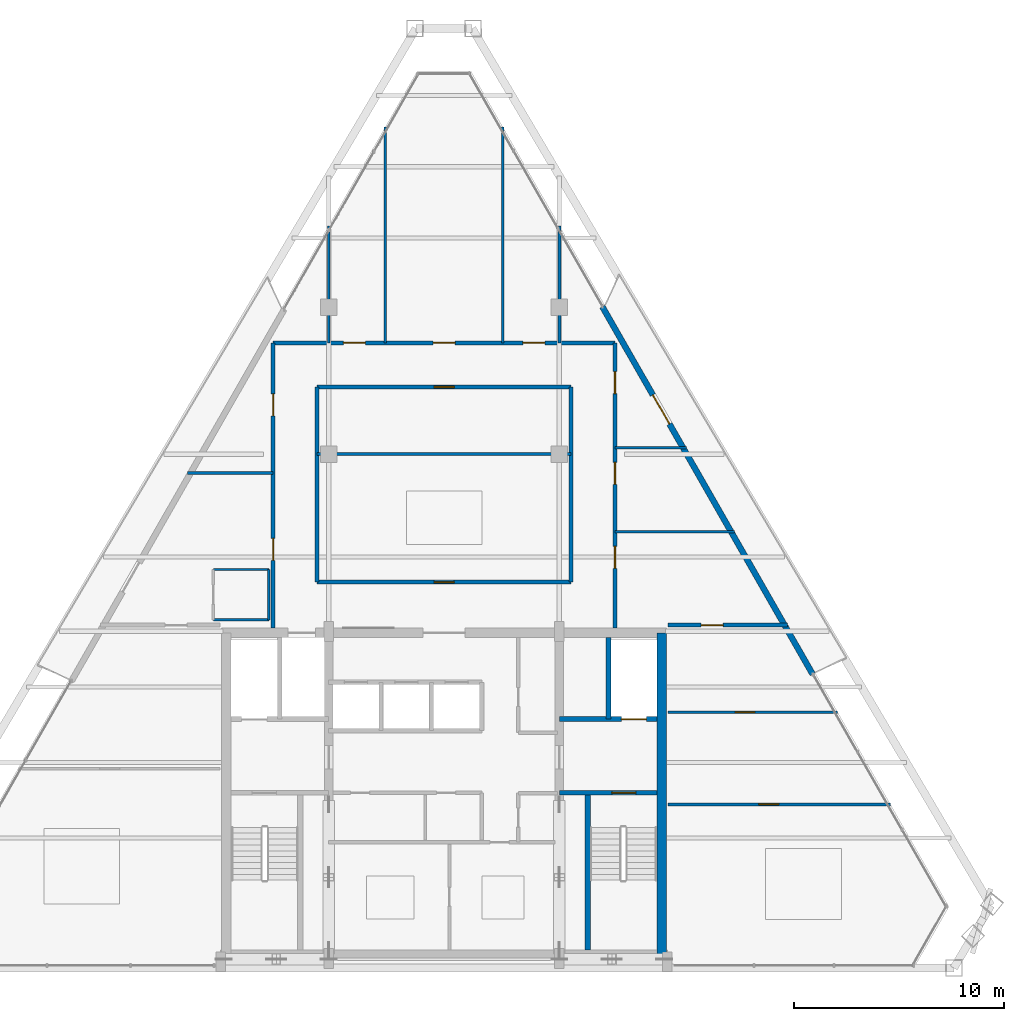
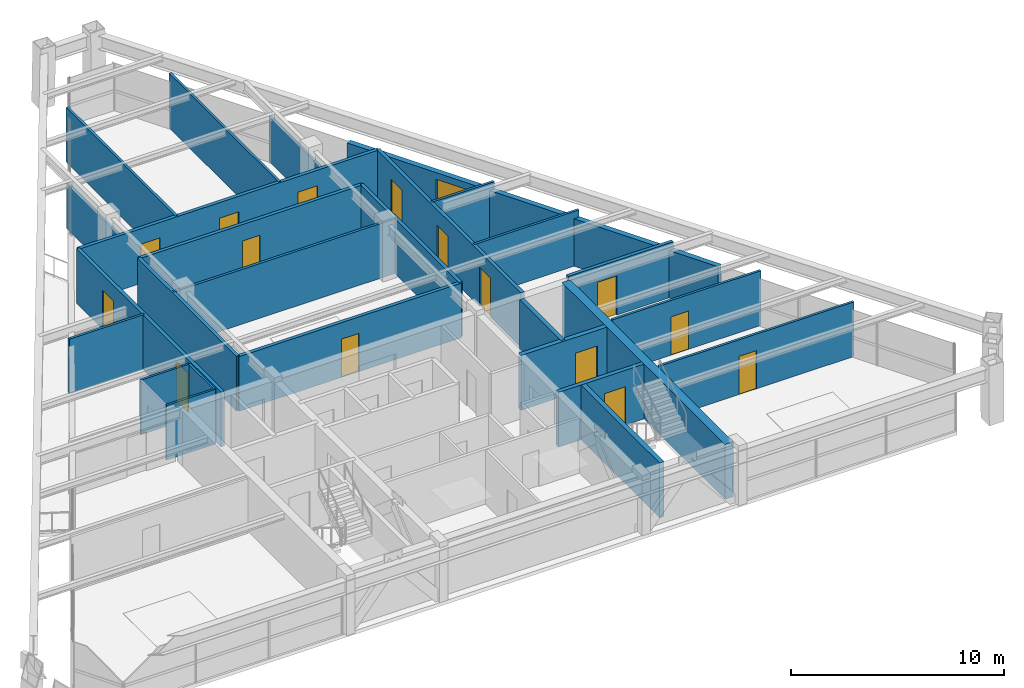
# One storey, part 10 of 13: 27 walls, 16 doors, 16 openings.
"""IFC4 building model written with IfcOpenShell, lengths in metres."""

from ifc_helpers import new_model, si_unit, direction, frame, frame_2d, origin, place, context, subcontext, project, spatial, rectangle, extrude, source, transform, mapped, material, layer, layer_set, type_object, type_shapes, element, fill, save


model = new_model("IFC4")

# Units and contexts
model_context = context("Model", 3, precision=1e-05, world=origin(), true_north=direction((0.0, 1.0)))
body_context = subcontext(model_context, "Body", "Model", "MODEL_VIEW")
ifc_project = project(units=[si_unit("LENGTHUNIT", "METRE"), si_unit("AREAUNIT", "SQUARE_METRE"), si_unit("VOLUMEUNIT", "CUBIC_METRE"), si_unit("PLANEANGLEUNIT", "RADIAN"), si_unit("MASSUNIT", "GRAM", prefix="KILO")], contexts=[model_context])

# Site, building, storey
site_placement = place(None, origin())
site = spatial("IfcSite", under=ifc_project, at=site_placement, CompositionType="ELEMENT")
building_placement = place(site_placement, origin())
building = spatial("IfcBuilding", under=site, at=building_placement, Name="Varnakhor Terracotta Tower", CompositionType="ELEMENT")
storey_placement = place(building_placement, frame((0.0, 0.0, 300.60009765625)))
storey = spatial("IfcBuildingStorey", under=building, at=storey_placement, Name="L79", CompositionType="ELEMENT", Elevation=300.60009765625)

# Walls
ifc_material_1 = material(Name="Moisture-Resistant Tile-Backed Partition", Category="gypsum")
ifc_layer_1 = layer(ifc_material_1, 0.114990234375, Name="Moisture-Resistant Tile-Backed Partition")
ifc_layer_set_1 = layer_set([ifc_layer_1], Name="Moisture-Resistant Tile-Backed Partition")
wall_type_1 = type_object("IfcWallType", Name="WAL-BATH-115", PredefinedType="PARTITIONING", material=ifc_layer_set_1)
for number, where, z_axis, x_axis, name in (
    (1, (-11.0, 16.60009765625, 0.0), (0.0, 0.0, 1.0), (1.0, 0.0, 0.0), "L79 En-Suite 1 Wall S"),
    (2, (-11.0, 19.0, 0.0), (0.0, 0.0, 1.0), (1.0, 0.0, 0.0), "L79 En-Suite 1 Wall N"),
):
    element("IfcWall", number, at=place(storey_placement, frame(where, z_axis=z_axis, x_axis=x_axis)), inside=storey, type_object=wall_type_1, Name=name, PredefinedType="PARTITIONING", context=body_context, shape_type="SweptSolid", body=[
        extrude(rectangle(XDim=2.64990234375, YDim=0.114990234375, at=frame_2d((1.324951171875, 0.0))), origin(), (0.0, 0.0, 1.0), 3.141845703125),
    ])
wall_1_placement = place(storey_placement, frame((-8.35009765625, 16.60009765625, 0.0), z_axis=(0.0, 0.0, 1.0), x_axis=(0.0, 1.0, 0.0)))
element("IfcWall", 3, at=wall_1_placement, inside=storey, type_object=wall_type_1, Name="L79 En-Suite 1 Wall E", PredefinedType="PARTITIONING", context=body_context, shape_type="SweptSolid", body=[
    extrude(rectangle(XDim=2.39990234375, YDim=0.114990234375, at=frame_2d((1.199951171875, 0.0))), origin(), (0.0, 0.0, 1.0), 3.141845703125),
])
ifc_material_2 = material(Name="Concrete C50/60", Category="concrete")
ifc_layer_2 = layer(ifc_material_2, 0.449951171875, Name="Concrete C50/60")
ifc_layer_set_2 = layer_set([ifc_layer_2], Name="Concrete C50/60")
wall_type_2 = type_object("IfcWallType", Name="WAL-CORE-450", PredefinedType="SHEAR", material=ifc_layer_set_2)
wall_2_placement = place(storey_placement, frame((10.375, 0.625, 0.0), z_axis=(0.0, 0.0, 1.0), x_axis=(0.0, 1.0, 0.0)))
element("IfcWall", 4, at=wall_2_placement, inside=storey, type_object=wall_type_2, Name="L79 East Core Shear Wall", PredefinedType="SHEAR", context=body_context, shape_type="SweptSolid", body=[
    extrude(rectangle(XDim=15.35009765625, YDim=0.449951171875, at=frame_2d((7.675048828125, 0.0))), origin(), (0.0, 0.0, 1.0), 3.14990234375),
])

# Wall, opening, door
ifc_material_3 = material(Name="Fire-Rated Gypsum Stud Partition", Category="gypsum")
ifc_layer_3 = layer(ifc_material_3, 0.18505859375, Name="Fire-Rated Gypsum Stud Partition")
ifc_layer_set_3 = layer_set([ifc_layer_3], Name="Fire-Rated Gypsum Stud Partition")
wall_type_3 = type_object("IfcWallType", Name="WAL-CORR-185", PredefinedType="PARTITIONING", material=ifc_layer_set_3)
wall_3_placement = place(storey_placement, frame((-6.050048828125, 18.39990234375, 0.0), z_axis=(0.0, 0.0, 1.0), x_axis=(1.0, 0.0, 0.0)))
wall_3 = element("IfcWall", 5, at=wall_3_placement, inside=storey, type_object=wall_type_3, Name="L79 Ring Inner South Wall", PredefinedType="PARTITIONING", context=body_context, shape_type="SweptSolid", body=[
    extrude(rectangle(XDim=12.10009765625, YDim=0.18505859375, at=frame_2d((6.050048828125, 0.0))), origin(), (0.0, 0.0, 1.0), 3.141845703125),
])
opening_1_placement = place(wall_3_placement, frame((5.574951171875, 0.0, 0.0)))
opening_1 = element("IfcOpeningElement", 6, at=opening_1_placement, cuts=wall_3, Name="Opening DR-94", PredefinedType="OPENING", context=body_context, shape_type="SweptSolid", body=[
    extrude(rectangle(XDim=0.949951171875, YDim=2.199951171875, at=frame_2d((0.47509765625, 1.10009765625))), frame((0.0, 0.1025390625, 0.0), z_axis=(0.0, -1.0, 0.0), x_axis=(1.0, 0.0, 0.0)), (0.0, 0.0, 1.0), 0.205078125),
])
ifc_material_4 = material(Name="Acoustic Glazed-Vision Timber Office Door", Category="wood")
door_type_1 = type_object("IfcDoorType", Name="DR-OFF-950X2200", OperationType="NOTDEFINED", PredefinedType="DOOR", material=ifc_material_4)
shared_shape_1 = source(origin(), body_context, "Body", "SweptSolid", [
    extrude(rectangle(XDim=0.949951171875, YDim=2.199951171875, at=frame_2d((0.47509765625, 1.10009765625))), frame((0.0, 0.02490234375, 0.0), z_axis=(0.0, -1.0, 0.0), x_axis=(1.0, 0.0, 0.0)), (0.0, 0.0, 1.0), 0.050048828125),
])
type_shapes(door_type_1, [shared_shape_1])
door_1_placement = place(opening_1_placement, origin())
door_1 = element("IfcDoor", 7, at=door_1_placement, inside=storey, type_object=door_type_1, Name="L79 Housekeeping Station Door", OperationType="SINGLE_SWING_RIGHT", OverallHeight=2.199951171875, OverallWidth=0.949951171875, PredefinedType="DOOR", context=body_context, shape_type="MappedRepresentation", body=[
    mapped(shared_shape_1, transform((0.0, 0.0, 0.0), scale=1.0)),
])
fill(opening_1, door_1)

wall_4_placement = place(storey_placement, frame((-6.050048828125, 27.699951171875, 0.0), z_axis=(0.0, 0.0, 1.0), x_axis=(1.0, 0.0, 0.0)))
wall_4 = element("IfcWall", 8, at=wall_4_placement, inside=storey, type_object=wall_type_3, Name="L79 Ring Inner North Wall", PredefinedType="PARTITIONING", context=body_context, shape_type="SweptSolid", body=[
    extrude(rectangle(XDim=12.10009765625, YDim=0.18505859375, at=frame_2d((6.050048828125, 0.0))), origin(), (0.0, 0.0, 1.0), 3.141845703125),
])
opening_2_placement = place(wall_4_placement, frame((5.574951171875, 0.0, 0.0)))
opening_2 = element("IfcOpeningElement", 9, at=opening_2_placement, cuts=wall_4, Name="Opening DR-94", PredefinedType="OPENING", context=body_context, shape_type="SweptSolid", body=[
    extrude(rectangle(XDim=0.949951171875, YDim=2.199951171875, at=frame_2d((0.47509765625, 1.10009765625))), frame((0.0, 0.1025390625, 0.0), z_axis=(0.0, -1.0, 0.0), x_axis=(1.0, 0.0, 0.0)), (0.0, 0.0, 1.0), 0.205078125),
])
door_2_placement = place(opening_2_placement, origin())
door_2 = element("IfcDoor", 10, at=door_2_placement, inside=storey, type_object=door_type_1, Name="L79 Inner Service Door", OperationType="SINGLE_SWING_LEFT", OverallHeight=2.199951171875, OverallWidth=0.949951171875, PredefinedType="DOOR", context=body_context, shape_type="MappedRepresentation", body=[
    mapped(shared_shape_1, transform((0.0, 0.0, 0.0), scale=1.0)),
])
fill(opening_2, door_2)

# Walls
for number, where, z_axis, x_axis, name in (
    (11, (-6.050048828125, 18.39990234375, 0.0), (0.0, 0.0, 1.0), (0.0, 1.0, 0.0), "L79 Ring Inner West Wall"),
    (12, (6.050048828125, 18.39990234375, 0.0), (0.0, 0.0, 1.0), (0.0, 1.0, 0.0), "L79 Ring Inner East Wall"),
):
    element("IfcWall", number, at=place(storey_placement, frame(where, z_axis=z_axis, x_axis=x_axis)), inside=storey, type_object=wall_type_3, Name=name, PredefinedType="PARTITIONING", context=body_context, shape_type="SweptSolid", body=[
        extrude(rectangle(XDim=9.300048828125, YDim=0.18505859375, at=frame_2d((4.64990234375, 0.0))), origin(), (0.0, 0.0, 1.0), 3.141845703125),
    ])

# Wall, openings, doors
wall_5_placement = place(storey_placement, frame((-8.14990234375, 16.199951171875, 0.0), z_axis=(0.0, 0.0, 1.0), x_axis=(0.0, 1.0, 0.0)))
wall_5 = element("IfcWall", 13, at=wall_5_placement, inside=storey, type_object=wall_type_3, Name="L79 Hotel West Corridor Wall", PredefinedType="PARTITIONING", context=body_context, shape_type="SweptSolid", body=[
    extrude(rectangle(XDim=13.60009765625, YDim=0.18505859375, at=frame_2d((6.800048828125, 0.0))), origin(), (0.0, 0.0, 1.0), 3.141845703125),
])
opening_3_placement = place(wall_5_placement, frame((3.235107421875, 0.0, 0.0)))
opening_3 = element("IfcOpeningElement", 14, at=opening_3_placement, cuts=wall_5, Name="Opening DR-95", PredefinedType="OPENING", context=body_context, shape_type="SweptSolid", body=[
    extrude(rectangle(XDim=1.050048828125, YDim=2.25, at=frame_2d((0.52490234375, 1.125))), frame((0.0, 0.1025390625, 0.0), z_axis=(0.0, -1.0, 0.0), x_axis=(1.0, 0.0, 0.0)), (0.0, 0.0, 1.0), 0.205078125),
])
opening_4_placement = place(wall_5_placement, frame((10.12255859375, 0.0, 0.0)))
opening_4 = element("IfcOpeningElement", 15, at=opening_4_placement, cuts=wall_5, Name="Opening DR-95", PredefinedType="OPENING", context=body_context, shape_type="SweptSolid", body=[
    extrude(rectangle(XDim=1.050048828125, YDim=2.25, at=frame_2d((0.52490234375, 1.125))), frame((0.0, 0.1025390625, 0.0), z_axis=(0.0, -1.0, 0.0), x_axis=(1.0, 0.0, 0.0)), (0.0, 0.0, 1.0), 0.205078125),
])
ifc_material_5 = material(Name="Solid-Core Timber Tenant/Hotel Entrance Door", Category="wood")
door_type_2 = type_object("IfcDoorType", Name="DR-SUITE-1050X2250", OperationType="NOTDEFINED", PredefinedType="DOOR", material=ifc_material_5)
shared_shape_2 = source(origin(), body_context, "Body", "SweptSolid", [
    extrude(rectangle(XDim=1.050048828125, YDim=2.25, at=frame_2d((0.52490234375, 1.125))), frame((0.0, 0.02490234375, 0.0), z_axis=(0.0, -1.0, 0.0), x_axis=(1.0, 0.0, 0.0)), (0.0, 0.0, 1.0), 0.050048828125),
])
type_shapes(door_type_2, [shared_shape_2])
door_3_placement = place(opening_3_placement, origin())
door_3 = element("IfcDoor", 16, at=door_3_placement, inside=storey, type_object=door_type_2, Name="L79 West Room 1 Entry Door", OperationType="SINGLE_SWING_LEFT", OverallHeight=2.25, OverallWidth=1.050048828125, PredefinedType="DOOR", context=body_context, shape_type="MappedRepresentation", body=[
    mapped(shared_shape_2, transform((0.0, 0.0, 0.0), scale=1.0)),
])
fill(opening_3, door_3)
door_4_placement = place(opening_4_placement, origin())
door_4 = element("IfcDoor", 17, at=door_4_placement, inside=storey, type_object=door_type_2, Name="L79 West Room 2 Entry Door", OperationType="SINGLE_SWING_LEFT", OverallHeight=2.25, OverallWidth=1.050048828125, PredefinedType="DOOR", context=body_context, shape_type="MappedRepresentation", body=[
    mapped(shared_shape_2, transform((0.0, 0.0, 0.0), scale=1.0)),
])
fill(opening_4, door_4)

wall_6_placement = place(storey_placement, frame((8.14990234375, 16.199951171875, 0.0), z_axis=(0.0, 0.0, 1.0), x_axis=(0.0, 1.0, 0.0)))
wall_6 = element("IfcWall", 18, at=wall_6_placement, inside=storey, type_object=wall_type_3, Name="L79 Hotel East Corridor Wall", PredefinedType="PARTITIONING", context=body_context, shape_type="SweptSolid", body=[
    extrude(rectangle(XDim=13.60009765625, YDim=0.18505859375, at=frame_2d((6.800048828125, 0.0))), origin(), (0.0, 0.0, 1.0), 3.141845703125),
])
opening_5_placement = place(wall_6_placement, frame((2.8525390625, 0.0, 0.0)))
opening_5 = element("IfcOpeningElement", 19, at=opening_5_placement, cuts=wall_6, Name="Opening DR-95", PredefinedType="OPENING", context=body_context, shape_type="SweptSolid", body=[
    extrude(rectangle(XDim=1.050048828125, YDim=2.25, at=frame_2d((0.52490234375, 1.125))), frame((0.0, 0.1025390625, 0.0), z_axis=(0.0, -1.0, 0.0), x_axis=(1.0, 0.0, 0.0)), (0.0, 0.0, 1.0), 0.205078125),
])
opening_6_placement = place(wall_6_placement, frame((6.8525390625, 0.0, 0.0)))
opening_6 = element("IfcOpeningElement", 20, at=opening_6_placement, cuts=wall_6, Name="Opening DR-95", PredefinedType="OPENING", context=body_context, shape_type="SweptSolid", body=[
    extrude(rectangle(XDim=1.050048828125, YDim=2.25, at=frame_2d((0.52490234375, 1.125))), frame((0.0, 0.1025390625, 0.0), z_axis=(0.0, -1.0, 0.0), x_axis=(1.0, 0.0, 0.0)), (0.0, 0.0, 1.0), 0.205078125),
])
opening_7_placement = place(wall_6_placement, frame((11.1845703125, 0.0, 0.0)))
opening_7 = element("IfcOpeningElement", 21, at=opening_7_placement, cuts=wall_6, Name="Opening DR-95", PredefinedType="OPENING", context=body_context, shape_type="SweptSolid", body=[
    extrude(rectangle(XDim=1.050048828125, YDim=2.25, at=frame_2d((0.52490234375, 1.125))), frame((0.0, 0.1025390625, 0.0), z_axis=(0.0, -1.0, 0.0), x_axis=(1.0, 0.0, 0.0)), (0.0, 0.0, 1.0), 0.205078125),
])
door_5_placement = place(opening_5_placement, origin())
door_5 = element("IfcDoor", 22, at=door_5_placement, inside=storey, type_object=door_type_2, Name="L79 East Room 1 Entry Door", OperationType="SINGLE_SWING_RIGHT", OverallHeight=2.25, OverallWidth=1.050048828125, PredefinedType="DOOR", context=body_context, shape_type="MappedRepresentation", body=[
    mapped(shared_shape_2, transform((0.0, 0.0, 0.0), scale=1.0)),
])
fill(opening_5, door_5)
door_6_placement = place(opening_6_placement, origin())
door_6 = element("IfcDoor", 23, at=door_6_placement, inside=storey, type_object=door_type_2, Name="L79 East Room 2 Entry Door", OperationType="SINGLE_SWING_LEFT", OverallHeight=2.25, OverallWidth=1.050048828125, PredefinedType="DOOR", context=body_context, shape_type="MappedRepresentation", body=[
    mapped(shared_shape_2, transform((0.0, 0.0, 0.0), scale=1.0)),
])
fill(opening_6, door_6)
door_7_placement = place(opening_7_placement, origin())
door_7 = element("IfcDoor", 24, at=door_7_placement, inside=storey, type_object=door_type_2, Name="L79 East Room 3 Entry Door", OperationType="SINGLE_SWING_RIGHT", OverallHeight=2.25, OverallWidth=1.050048828125, PredefinedType="DOOR", context=body_context, shape_type="MappedRepresentation", body=[
    mapped(shared_shape_2, transform((0.0, 0.0, 0.0), scale=1.0)),
])
fill(opening_7, door_7)

wall_7_placement = place(storey_placement, frame((-8.14990234375, 29.800048828125, 0.0), z_axis=(0.0, 0.0, 1.0), x_axis=(1.0, 0.0, 0.0)))
wall_7 = element("IfcWall", 25, at=wall_7_placement, inside=storey, type_object=wall_type_3, Name="L79 Hotel North Corridor Wall", PredefinedType="PARTITIONING", context=body_context, shape_type="SweptSolid", body=[
    extrude(rectangle(XDim=16.2998046875, YDim=0.18505859375, at=frame_2d((8.14990234375, 0.0))), origin(), (0.0, 0.0, 1.0), 3.141845703125),
])
opening_8_placement = place(wall_7_placement, frame((3.347412109375, 0.0, 0.0)))
opening_8 = element("IfcOpeningElement", 26, at=opening_8_placement, cuts=wall_7, Name="Opening DR-95", PredefinedType="OPENING", context=body_context, shape_type="SweptSolid", body=[
    extrude(rectangle(XDim=1.050048828125, YDim=2.25, at=frame_2d((0.52490234375, 1.125))), frame((0.0, 0.1025390625, 0.0), z_axis=(0.0, -1.0, 0.0), x_axis=(1.0, 0.0, 0.0)), (0.0, 0.0, 1.0), 0.205078125),
])
opening_9_placement = place(wall_7_placement, frame((7.625, 0.0, 0.0)))
opening_9 = element("IfcOpeningElement", 27, at=opening_9_placement, cuts=wall_7, Name="Opening DR-95", PredefinedType="OPENING", context=body_context, shape_type="SweptSolid", body=[
    extrude(rectangle(XDim=1.050048828125, YDim=2.25, at=frame_2d((0.52490234375, 1.125))), frame((0.0, 0.1025390625, 0.0), z_axis=(0.0, -1.0, 0.0), x_axis=(1.0, 0.0, 0.0)), (0.0, 0.0, 1.0), 0.205078125),
])
opening_10_placement = place(wall_7_placement, frame((11.902587890625, 0.0, 0.0)))
opening_10 = element("IfcOpeningElement", 28, at=opening_10_placement, cuts=wall_7, Name="Opening DR-95", PredefinedType="OPENING", context=body_context, shape_type="SweptSolid", body=[
    extrude(rectangle(XDim=1.050048828125, YDim=2.25, at=frame_2d((0.52490234375, 1.125))), frame((0.0, 0.1025390625, 0.0), z_axis=(0.0, -1.0, 0.0), x_axis=(1.0, 0.0, 0.0)), (0.0, 0.0, 1.0), 0.205078125),
])
door_8_placement = place(opening_8_placement, origin())
door_8 = element("IfcDoor", 29, at=door_8_placement, inside=storey, type_object=door_type_2, Name="L79 North Suite 1 Entry Door", OperationType="SINGLE_SWING_LEFT", OverallHeight=2.25, OverallWidth=1.050048828125, PredefinedType="DOOR", context=body_context, shape_type="MappedRepresentation", body=[
    mapped(shared_shape_2, transform((0.0, 0.0, 0.0), scale=1.0)),
])
fill(opening_8, door_8)
door_9_placement = place(opening_9_placement, origin())
door_9 = element("IfcDoor", 30, at=door_9_placement, inside=storey, type_object=door_type_2, Name="L79 North Suite 2 Entry Door", OperationType="SINGLE_SWING_RIGHT", OverallHeight=2.25, OverallWidth=1.050048828125, PredefinedType="DOOR", context=body_context, shape_type="MappedRepresentation", body=[
    mapped(shared_shape_2, transform((0.0, 0.0, 0.0), scale=1.0)),
])
fill(opening_9, door_9)
door_10_placement = place(opening_10_placement, origin())
door_10 = element("IfcDoor", 31, at=door_10_placement, inside=storey, type_object=door_type_2, Name="L79 North Suite 3 Entry Door", OperationType="SINGLE_SWING_LEFT", OverallHeight=2.25, OverallWidth=1.050048828125, PredefinedType="DOOR", context=body_context, shape_type="MappedRepresentation", body=[
    mapped(shared_shape_2, transform((0.0, 0.0, 0.0), scale=1.0)),
])
fill(opening_10, door_10)

# Wall, opening, door
wall_8_placement = place(storey_placement, frame((10.679931640625, 16.35009765625, 0.0), z_axis=(0.0, 0.0, 1.0), x_axis=(1.0, 0.0, 0.0)))
wall_8 = element("IfcWall", 32, at=wall_8_placement, inside=storey, type_object=wall_type_3, Name="L79 South East Guest Entry Wall", PredefinedType="PARTITIONING", context=body_context, shape_type="SweptSolid", body=[
    extrude(rectangle(XDim=5.702880859375, YDim=0.18505859375, at=frame_2d((2.8515625, 0.0))), origin(), (0.0, 0.0, 1.0), 3.141845703125),
])
opening_11_placement = place(wall_8_placement, frame((1.572998046875, 0.0, 0.0)))
opening_11 = element("IfcOpeningElement", 33, at=opening_11_placement, cuts=wall_8, Name="Opening DR-95", PredefinedType="OPENING", context=body_context, shape_type="SweptSolid", body=[
    extrude(rectangle(XDim=1.050048828125, YDim=2.25, at=frame_2d((0.52490234375, 1.125))), frame((0.0, 0.1025390625, 0.0), z_axis=(0.0, -1.0, 0.0), x_axis=(1.0, 0.0, 0.0)), (0.0, 0.0, 1.0), 0.205078125),
])
door_11_placement = place(opening_11_placement, origin())
door_11 = element("IfcDoor", 34, at=door_11_placement, inside=storey, type_object=door_type_2, Name="L79 SE Suite Entry Door", OperationType="SINGLE_SWING_LEFT", OverallHeight=2.25, OverallWidth=1.050048828125, PredefinedType="DOOR", context=body_context, shape_type="MappedRepresentation", body=[
    mapped(shared_shape_2, transform((0.0, 0.0, 0.0), scale=1.0)),
])
fill(opening_11, door_11)

ifc_material_6 = material(Name="Extruded Architectural Terracotta Assembly", Category="masonry")
ifc_layer_4 = layer(ifc_material_6, 0.280029296875, Name="Extruded Architectural Terracotta Assembly")
ifc_layer_set_4 = layer_set([ifc_layer_4], Name="Extruded Architectural Terracotta Assembly")
wall_type_4 = type_object("IfcWallType", Name="WAL-EXT-TERRACOTTA-280", PredefinedType="SOLIDWALL", material=ifc_layer_set_4)
wall_9_placement = place(storey_placement, frame((7.546875, 31.529541015625, 0.0), z_axis=(0.0, 0.0, 1.0), x_axis=(0.496661069092, -0.867944573373, 0.0)))
wall_9 = element("IfcWall", 35, at=wall_9_placement, inside=storey, type_object=wall_type_4, Name="L79 E Loggia Insulated Terracotta Wall", PredefinedType="SOLIDWALL", context=body_context, shape_type="SweptSolid", body=[
    extrude(rectangle(XDim=20.18896484375, YDim=0.280029296875, at=frame_2d((10.094482421875, 0.0))), origin(), (0.0, 0.0, 1.0), 2.72998046875),
])
opening_12_placement = place(wall_9_placement, frame((4.845458984375, 0.0, 0.0)))
opening_12 = element("IfcOpeningElement", 36, at=opening_12_placement, cuts=wall_9, Name="Opening DR-62", PredefinedType="OPENING", context=body_context, shape_type="SweptSolid", body=[
    extrude(rectangle(XDim=1.60009765625, YDim=2.35009765625, at=frame_2d((0.800048828125, 1.175048828125))), frame((0.0, 0.14990234375, 0.0), z_axis=(0.0, -1.0, 0.0), x_axis=(1.0, 0.0, 0.0)), (0.0, 0.0, 1.0), 0.300048828125),
])
ifc_material_7 = material(Name="Thermally Broken Sliding Glass Loggia Door", Category="glass")
door_type_3 = type_object("IfcDoorType", Name="DR-EXT-LOGGIA-1600X2350", OperationType="NOTDEFINED", PredefinedType="DOOR", material=ifc_material_7)
shared_shape_3 = source(origin(), body_context, "Body", "SweptSolid", [
    extrude(rectangle(XDim=1.60009765625, YDim=2.35009765625, at=frame_2d((0.800048828125, 1.175048828125))), frame((0.0, 0.02490234375, 0.0), z_axis=(0.0, -1.0, 0.0), x_axis=(1.0, 0.0, 0.0)), (0.0, 0.0, 1.0), 0.050048828125),
])
type_shapes(door_type_3, [shared_shape_3])
door_12_placement = place(opening_12_placement, origin())
door_12 = element("IfcDoor", 37, at=door_12_placement, inside=storey, type_object=door_type_3, Name="L79 E Recessed Loggia Sliding Door", OperationType="SLIDING_TO_RIGHT", OverallHeight=2.35009765625, OverallWidth=1.60009765625, PredefinedType="DOOR", context=body_context, shape_type="MappedRepresentation", body=[
    mapped(shared_shape_3, transform((0.0, 0.0, 0.0), scale=1.0)),
])
fill(opening_12, door_12)

ifc_material_8 = material(Name="Concrete C40/50", Category="concrete")
ifc_layer_5 = layer(ifc_material_8, 0.219970703125, Name="Concrete C40/50")
ifc_layer_set_5 = layer_set([ifc_layer_5], Name="Concrete C40/50")
wall_type_5 = type_object("IfcWallType", Name="WAL-FFLOBBY-220", PredefinedType="SOLIDWALL", material=ifc_layer_set_5)
wall_10_placement = place(storey_placement, frame((10.14990234375, 8.35009765625, 0.0), z_axis=(0.0, 0.0, 1.0), x_axis=(-1.0, 0.0, 0.0)))
wall_10 = element("IfcWall", 38, at=wall_10_placement, inside=storey, type_object=wall_type_5, Name="L79 East Firefighting Lobby Stair Wall", PredefinedType="SOLIDWALL", context=body_context, shape_type="SweptSolid", body=[
    extrude(rectangle(XDim=4.64990234375, YDim=0.219970703125, at=frame_2d((2.324951171875, 0.0))), origin(), (0.0, 0.0, 1.0), 3.14990234375),
])
opening_13_placement = place(wall_10_placement, frame((1.0, 0.0, 0.0)))
opening_13 = element("IfcOpeningElement", 39, at=opening_13_placement, cuts=wall_10, Name="Opening DR-34", PredefinedType="OPENING", context=body_context, shape_type="SweptSolid", body=[
    extrude(rectangle(XDim=1.14990234375, YDim=2.199951171875, at=frame_2d((0.574951171875, 1.10009765625))), frame((0.0, 0.1201171875, 0.0), z_axis=(0.0, -1.0, 0.0), x_axis=(1.0, 0.0, 0.0)), (0.0, 0.0, 1.0), 0.239990234375),
])
ifc_material_9 = material(Name="Self-Closing Smoke-Sealed Steel Fire Door", Category="steel")
door_type_4 = type_object("IfcDoorType", Name="DR-STAIR-1150X2200", OperationType="NOTDEFINED", PredefinedType="DOOR", material=ifc_material_9)
shared_shape_4 = source(origin(), body_context, "Body", "SweptSolid", [
    extrude(rectangle(XDim=1.14990234375, YDim=2.199951171875, at=frame_2d((0.574951171875, 1.10009765625))), frame((0.0, 0.02490234375, 0.0), z_axis=(0.0, -1.0, 0.0), x_axis=(1.0, 0.0, 0.0)), (0.0, 0.0, 1.0), 0.050048828125),
])
type_shapes(door_type_4, [shared_shape_4])
door_13_placement = place(opening_13_placement, origin())
door_13 = element("IfcDoor", 40, at=door_13_placement, inside=storey, type_object=door_type_4, Name="L79 Exit Stair ST-2 Fire Door", OperationType="SINGLE_SWING_RIGHT", OverallHeight=2.199951171875, OverallWidth=1.14990234375, PredefinedType="DOOR", context=body_context, shape_type="MappedRepresentation", body=[
    mapped(shared_shape_4, transform((0.0, 0.0, 0.0), scale=1.0)),
])
fill(opening_13, door_13)

# Walls
ifc_material_10 = material(Name="Acoustic Hotel Room Partition", Category="gypsum")
ifc_layer_6 = layer(ifc_material_10, 0.1298828125, Name="Acoustic Hotel Room Partition")
ifc_layer_set_6 = layer_set([ifc_layer_6], Name="Acoustic Hotel Room Partition")
wall_type_6 = type_object("IfcWallType", Name="WAL-PART-130", PredefinedType="PARTITIONING", material=ifc_layer_set_6)
for number, where, z_axis, x_axis, name in (
    (41, (-5.5, 29.800048828125, 0.0), (0.0, 0.0, 1.0), (0.0, 1.0, 0.0), "L79 North West Column Wall"),
    (42, (5.5, 29.800048828125, 0.0), (0.0, 0.0, 1.0), (0.0, 1.0, 0.0), "L79 North East Column Wall"),
):
    element("IfcWall", number, at=place(storey_placement, frame(where, z_axis=z_axis, x_axis=x_axis)), inside=storey, type_object=wall_type_6, Name=name, PredefinedType="PARTITIONING", context=body_context, shape_type="SweptSolid", body=[
        extrude(rectangle(XDim=5.568115234375, YDim=0.1298828125, at=frame_2d((2.7841796875, 0.0))), origin(), (0.0, 0.0, 1.0), 2.593017578125),
    ])
for number, where, z_axis, x_axis, name in (
    (43, (-2.800048828125, 29.800048828125, 0.0), (0.0, 0.0, 1.0), (0.0, 1.0, 0.0), "L79 North Suite Split 1"),
    (44, (2.800048828125, 29.800048828125, 0.0), (0.0, 0.0, 1.0), (0.0, 1.0, 0.0), "L79 North Suite Split 2"),
):
    element("IfcWall", number, at=place(storey_placement, frame(where, z_axis=z_axis, x_axis=x_axis)), inside=storey, type_object=wall_type_6, Name=name, PredefinedType="PARTITIONING", context=body_context, shape_type="SweptSolid", body=[
        extrude(rectangle(XDim=10.28662109375, YDim=0.1298828125, at=frame_2d((5.143310546875, 0.0))), origin(), (0.0, 0.0, 1.0), 3.141845703125),
    ])

# Wall, opening, door
wall_11_placement = place(storey_placement, frame((10.679931640625, 7.800048828125, 0.0), z_axis=(0.0, 0.0, 1.0), x_axis=(1.0, 0.0, 0.0)))
wall_11 = element("IfcWall", 45, at=wall_11_placement, inside=storey, type_object=wall_type_6, Name="L79 SE Key Split 1", PredefinedType="PARTITIONING", context=body_context, shape_type="SweptSolid", body=[
    extrude(rectangle(XDim=10.59521484375, YDim=0.1298828125, at=frame_2d((5.297607421875, 0.0))), origin(), (0.0, 0.0, 1.0), 3.141845703125),
])
opening_14_placement = place(wall_11_placement, frame((4.326904296875, 0.0, 0.0)))
opening_14 = element("IfcOpeningElement", 46, at=opening_14_placement, cuts=wall_11, Name="Opening DR-94", PredefinedType="OPENING", context=body_context, shape_type="SweptSolid", body=[
    extrude(rectangle(XDim=0.949951171875, YDim=2.199951171875, at=frame_2d((0.47509765625, 1.10009765625))), frame((0.0, 0.074951171875, 0.0), z_axis=(0.0, -1.0, 0.0), x_axis=(1.0, 0.0, 0.0)), (0.0, 0.0, 1.0), 0.14990234375),
])
door_14_placement = place(opening_14_placement, origin())
door_14 = element("IfcDoor", 47, at=door_14_placement, inside=storey, type_object=door_type_1, Name="L79 SE Suite Connect Door 1", OperationType="SINGLE_SWING_LEFT", OverallHeight=2.199951171875, OverallWidth=0.949951171875, PredefinedType="DOOR", context=body_context, shape_type="MappedRepresentation", body=[
    mapped(shared_shape_1, transform((0.0, 0.0, 0.0), scale=1.0)),
])
fill(opening_14, door_14)

wall_12_placement = place(storey_placement, frame((10.679931640625, 12.199951171875, 0.0), z_axis=(0.0, 0.0, 1.0), x_axis=(1.0, 0.0, 0.0)))
wall_12 = element("IfcWall", 48, at=wall_12_placement, inside=storey, type_object=wall_type_6, Name="L79 SE Key Split 2", PredefinedType="PARTITIONING", context=body_context, shape_type="SweptSolid", body=[
    extrude(rectangle(XDim=8.077392578125, YDim=0.1298828125, at=frame_2d((4.03857421875, 0.0))), origin(), (0.0, 0.0, 1.0), 3.141845703125),
])
opening_15_placement = place(wall_12_placement, frame((3.19384765625, 0.0, 0.0)))
opening_15 = element("IfcOpeningElement", 49, at=opening_15_placement, cuts=wall_12, Name="Opening DR-94", PredefinedType="OPENING", context=body_context, shape_type="SweptSolid", body=[
    extrude(rectangle(XDim=0.949951171875, YDim=2.199951171875, at=frame_2d((0.47509765625, 1.10009765625))), frame((0.0, 0.074951171875, 0.0), z_axis=(0.0, -1.0, 0.0), x_axis=(1.0, 0.0, 0.0)), (0.0, 0.0, 1.0), 0.14990234375),
])
door_15_placement = place(opening_15_placement, origin())
door_15 = element("IfcDoor", 50, at=door_15_placement, inside=storey, type_object=door_type_1, Name="L79 SE Suite Connect Door 2", OperationType="SINGLE_SWING_RIGHT", OverallHeight=2.199951171875, OverallWidth=0.949951171875, PredefinedType="DOOR", context=body_context, shape_type="MappedRepresentation", body=[
    mapped(shared_shape_1, transform((0.0, 0.0, 0.0), scale=1.0)),
])
fill(opening_15, door_15)

# Walls
wall_13_placement = place(storey_placement, frame((-12.234130859375, 23.60009765625, 0.0), z_axis=(0.0, 0.0, 1.0), x_axis=(1.0, 0.0, 0.0)))
element("IfcWall", 51, at=wall_13_placement, inside=storey, type_object=wall_type_6, Name="L79 West Key Cut 1", PredefinedType="PARTITIONING", context=body_context, shape_type="SweptSolid", body=[
    extrude(rectangle(XDim=4.084228515625, YDim=0.1298828125, at=frame_2d((2.0419921875, 0.0))), origin(), (0.0, 0.0, 1.0), 3.141845703125),
])
wall_14_placement = place(storey_placement, frame((8.14990234375, 20.800048828125, 0.0), z_axis=(0.0, 0.0, 1.0), x_axis=(1.0, 0.0, 0.0)))
element("IfcWall", 52, at=wall_14_placement, inside=storey, type_object=wall_type_6, Name="L79 East Key Cut 1", PredefinedType="PARTITIONING", context=body_context, shape_type="SweptSolid", body=[
    extrude(rectangle(XDim=5.686279296875, YDim=0.1298828125, at=frame_2d((2.84326171875, 0.0))), origin(), (0.0, 0.0, 1.0), 3.141845703125),
])
wall_15_placement = place(storey_placement, frame((8.14990234375, 24.800048828125, 0.0), z_axis=(0.0, 0.0, 1.0), x_axis=(1.0, 0.0, 0.0)))
element("IfcWall", 53, at=wall_15_placement, inside=storey, type_object=wall_type_6, Name="L79 East Key Cut 2", PredefinedType="PARTITIONING", context=body_context, shape_type="SweptSolid", body=[
    extrude(rectangle(XDim=3.3974609375, YDim=0.1298828125, at=frame_2d((1.69873046875, 0.0))), origin(), (0.0, 0.0, 1.0), 3.141845703125),
])
ifc_material_11 = material(Name="Acoustic Metal-Stud Partition", Category="gypsum")
ifc_layer_7 = layer(ifc_material_11, 0.139892578125, Name="Acoustic Metal-Stud Partition")
ifc_layer_set_7 = layer_set([ifc_layer_7], Name="Acoustic Metal-Stud Partition")
wall_type_7 = type_object("IfcWallType", Name="WAL-PART-140", PredefinedType="PARTITIONING", material=ifc_layer_set_7)
wall_16_placement = place(storey_placement, frame((-6.050048828125, 24.5, 0.0), z_axis=(0.0, 0.0, 1.0), x_axis=(1.0, 0.0, 0.0)))
element("IfcWall", 54, at=wall_16_placement, inside=storey, type_object=wall_type_7, Name="L79 Inner Service Split", PredefinedType="PARTITIONING", context=body_context, shape_type="SweptSolid", body=[
    extrude(rectangle(XDim=12.10009765625, YDim=0.139892578125, at=frame_2d((6.050048828125, 0.0))), origin(), (0.0, 0.0, 1.0), 3.141845703125),
])
ifc_layer_8 = layer(ifc_material_8, 0.219970703125, Name="Concrete C40/50")
ifc_layer_set_8 = layer_set([ifc_layer_8], Name="Concrete C40/50")
wall_type_8 = type_object("IfcWallType", Name="WAL-SHAFT-220", PredefinedType="SOLIDWALL", material=ifc_layer_set_8)
wall_17_placement = place(storey_placement, frame((7.840087890625, 11.8701171875, 0.0), z_axis=(0.0, 0.0, 1.0), x_axis=(0.0, 1.0, 0.0)))
element("IfcWall", 55, at=wall_17_placement, inside=storey, type_object=wall_type_8, Name="L79 Lift FFL-2 and Riser Divider Wall", PredefinedType="SOLIDWALL", context=body_context, shape_type="SweptSolid", body=[
    extrude(rectangle(XDim=3.8798828125, YDim=0.219970703125, at=frame_2d((1.93994140625, 0.0))), origin(), (0.0, 0.0, 1.0), 3.14990234375),
])
ifc_layer_9 = layer(ifc_material_8, 0.25, Name="Concrete C40/50")
ifc_layer_set_9 = layer_set([ifc_layer_9], Name="Concrete C40/50")
wall_type_9 = type_object("IfcWallType", Name="WAL-SHAFT-250", PredefinedType="SOLIDWALL", material=ifc_layer_set_9)
wall_18_placement = place(storey_placement, frame((6.85009765625, 0.85009765625, 0.0), z_axis=(0.0, 0.0, 1.0), x_axis=(0.0, 1.0, 0.0)))
element("IfcWall", 56, at=wall_18_placement, inside=storey, type_object=wall_type_9, Name="L79 Stair ST-2 Bearing Shaft Wall", PredefinedType="SOLIDWALL", context=body_context, shape_type="SweptSolid", body=[
    extrude(rectangle(XDim=7.5, YDim=0.25, at=frame_2d((3.75, 0.0))), origin(), (0.0, 0.0, 1.0), 3.14990234375),
])

# Wall, opening, door
wall_19_placement = place(storey_placement, frame((10.14990234375, 11.8701171875, 0.0), z_axis=(0.0, 0.0, 1.0), x_axis=(-1.0, 0.0, 0.0)))
wall_19 = element("IfcWall", 57, at=wall_19_placement, inside=storey, type_object=wall_type_9, Name="L79 Lift FFL-2 Shaft Front Wall", PredefinedType="SOLIDWALL", context=body_context, shape_type="SweptSolid", body=[
    extrude(rectangle(XDim=4.64990234375, YDim=0.25, at=frame_2d((2.324951171875, 0.0))), origin(), (0.0, 0.0, 1.0), 3.14990234375),
])
opening_16_placement = place(wall_19_placement, frame((0.5, 0.0, 0.0)))
opening_16 = element("IfcOpeningElement", 58, at=opening_16_placement, cuts=wall_19, Name="Opening LD-02", PredefinedType="OPENING", context=body_context, shape_type="SweptSolid", body=[
    extrude(rectangle(XDim=1.199951171875, YDim=2.25, at=frame_2d((0.60009765625, 1.125))), frame((0.0, 0.135009765625, 0.0), z_axis=(0.0, -1.0, 0.0), x_axis=(1.0, 0.0, 0.0)), (0.0, 0.0, 1.0), 0.27001953125),
])
ifc_material_12 = material(Name="Firefighting Stretcher Sliding Lift Landing Door", Category="steel")
door_type_5 = type_object("IfcDoorType", Name="LD-FFL-1200X2250", OperationType="NOTDEFINED", PredefinedType="DOOR", material=ifc_material_12)
shared_shape_5 = source(origin(), body_context, "Body", "SweptSolid", [
    extrude(rectangle(XDim=1.199951171875, YDim=2.25, at=frame_2d((0.60009765625, 1.125))), frame((0.0, 0.02490234375, 0.0), z_axis=(0.0, -1.0, 0.0), x_axis=(1.0, 0.0, 0.0)), (0.0, 0.0, 1.0), 0.050048828125),
])
type_shapes(door_type_5, [shared_shape_5])
door_16_placement = place(opening_16_placement, origin())
door_16 = element("IfcDoor", 59, at=door_16_placement, inside=storey, type_object=door_type_5, Name="L79 Firefighting Lift FFL-2 Landing Door", OperationType="SLIDING_TO_RIGHT", OverallHeight=2.25, OverallWidth=1.199951171875, PredefinedType="DOOR", context=body_context, shape_type="MappedRepresentation", body=[
    mapped(shared_shape_5, transform((0.0, 0.0, 0.0), scale=1.0)),
])
fill(opening_16, door_16)

save(model, "model.ifc")
